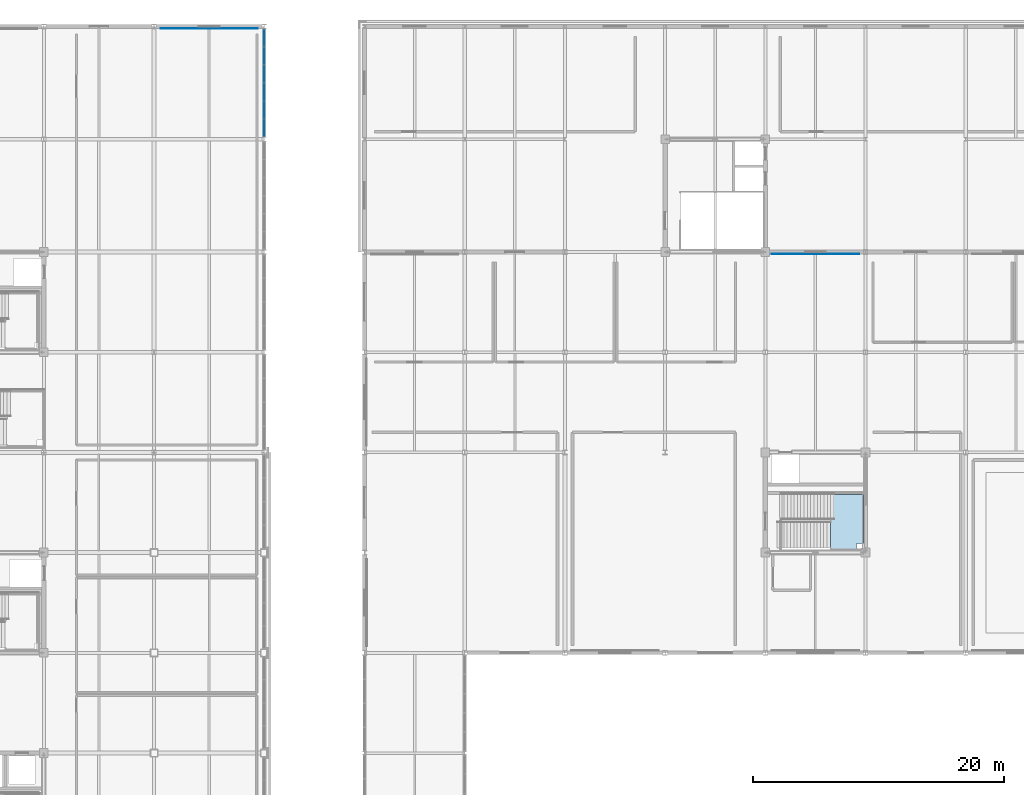
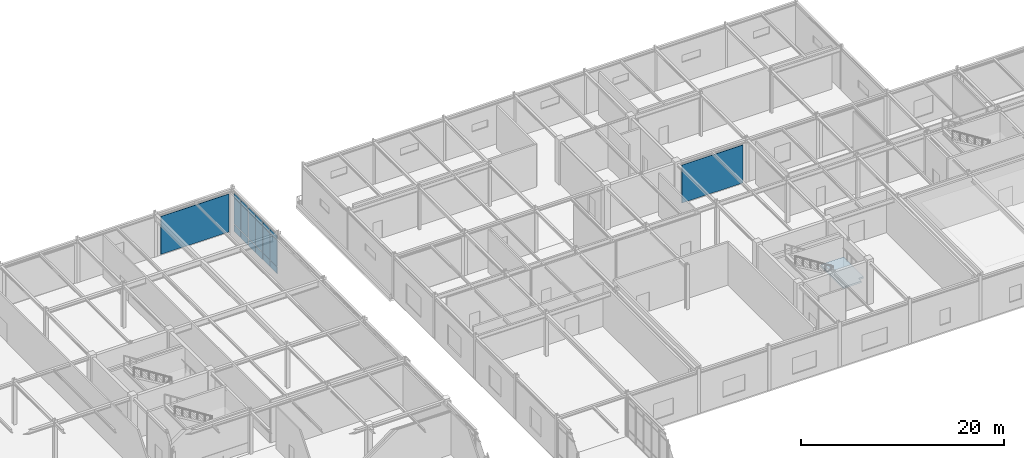
# One storey, part 66 of 108: 20 plates, 1 slab, 2 elements without a shape of their own.
"""IFC4 building model written with IfcOpenShell, lengths in metres."""

from ifc_helpers import new_model, si_unit, direction, frame, origin, origin_2d, place, context, subcontext, project, spatial, polyline, rectangle, outline, extrude, material, layer, layer_set, type_object, element, aggregate, save


model = new_model("IFC4")

# Units and contexts
model_context = context("Model", 3, precision=1e-05, world=origin(), true_north=direction((0.0, 1.0)))
body_context = subcontext(model_context, "Body", "Model", "MODEL_VIEW")
ifc_project = project(units=[si_unit("LENGTHUNIT", "METRE"), si_unit("AREAUNIT", "SQUARE_METRE"), si_unit("VOLUMEUNIT", "CUBIC_METRE"), si_unit("PLANEANGLEUNIT", "RADIAN"), si_unit("MASSUNIT", "GRAM", prefix="KILO")], contexts=[model_context])

# Site, building, storey
site_placement = place(None, origin())
site = spatial("IfcSite", under=ifc_project, at=site_placement, CompositionType="ELEMENT")
building_placement = place(site_placement, origin())
building = spatial("IfcBuilding", under=site, at=building_placement, Name="Zhaolan Boulevard Law Courts", CompositionType="ELEMENT")
storey_placement = place(building_placement, frame((0.0, 0.0, 10.800048828125)))
storey = spatial("IfcBuildingStorey", under=building, at=storey_placement, Name="L02", CompositionType="ELEMENT", Elevation=10.800048828125)

# Curtain wall, plates
ifc_material_1 = material(Name="Thermally broken aluminium and low-E glazing", Category="aluminium")
curtain_wall_type = type_object("IfcCurtainWallType", Name="CURTAIN WALL M2", PredefinedType="USERDEFINED", material=ifc_material_1)
curtain_wall_placement = place(storey_placement, origin())
curtain_wall = element("IfcCurtainWall", 1, at=curtain_wall_placement, inside=storey, type_object=curtain_wall_type, Name="Curtain Wall CW-L02-122", ObjectType="CURTAIN WALL", PredefinedType="USERDEFINED")
ifc_material_2 = material(Name="Triple-silver low-E insulated glazing", Category="glass")
ifc_layer_1 = layer(ifc_material_2, 0.028076171875)
ifc_layer_set_1 = layer_set([ifc_layer_1])
plate_type_1 = type_object("IfcPlateType", Name="CWPANEL LOW E28", PredefinedType="CURTAIN_PANEL", material=ifc_layer_set_1)
plate_1_placement = place(storey_placement, frame((44.0, 103.913818359375, 0.06494140625), z_axis=(0.0, 0.0, 1.0), x_axis=(0.0, 1.0, 0.0)))
plate_1 = element("IfcPlate", 2, at=plate_1_placement, type_object=plate_type_1, Name="CW-L02-122 panel 1.1", PredefinedType="CURTAIN_PANEL", context=body_context, shape_type="SweptSolid", body=[
    extrude(rectangle(XDim=1.343505859375, YDim=0.028076171875, at=origin_2d()), origin(), (0.0, 0.0, 1.0), 0.802490234375),
])
plate_2_placement = place(storey_placement, frame((44.0, 103.913818359375, 0.932373046875), z_axis=(0.0, 0.0, 1.0), x_axis=(0.0, 1.0, 0.0)))
plate_2 = element("IfcPlate", 3, at=plate_2_placement, type_object=plate_type_1, Name="CW-L02-122 panel 1.2", PredefinedType="CURTAIN_PANEL", context=body_context, shape_type="SweptSolid", body=[
    extrude(rectangle(XDim=1.343505859375, YDim=0.028076171875, at=origin_2d()), origin(), (0.0, 0.0, 1.0), 3.14794921875),
])
plate_3_placement = place(storey_placement, frame((44.0, 103.913818359375, 4.1455078125), z_axis=(0.0, 0.0, 1.0), x_axis=(0.0, 1.0, 0.0)))
plate_3 = element("IfcPlate", 4, at=plate_3_placement, type_object=plate_type_1, Name="CW-L02-122 panel 1.3", PredefinedType="CURTAIN_PANEL", context=body_context, shape_type="SweptSolid", body=[
    extrude(rectangle(XDim=1.343505859375, YDim=0.028076171875, at=origin_2d()), origin(), (0.0, 0.0, 1.0), 0.552490234375),
])
plate_4_placement = place(storey_placement, frame((44.0, 105.33837890625, 0.06494140625), z_axis=(0.0, 0.0, 1.0), x_axis=(0.0, 1.0, 0.0)))
plate_4 = element("IfcPlate", 5, at=plate_4_placement, type_object=plate_type_1, Name="CW-L02-122 panel 2.1", PredefinedType="CURTAIN_PANEL", context=body_context, shape_type="SweptSolid", body=[
    extrude(rectangle(XDim=1.3759765625, YDim=0.028076171875, at=origin_2d()), origin(), (0.0, 0.0, 1.0), 0.802490234375),
])
plate_5_placement = place(storey_placement, frame((44.0, 105.33837890625, 0.932373046875), z_axis=(0.0, 0.0, 1.0), x_axis=(0.0, 1.0, 0.0)))
plate_5 = element("IfcPlate", 6, at=plate_5_placement, type_object=plate_type_1, Name="CW-L02-122 panel 2.2", PredefinedType="CURTAIN_PANEL", context=body_context, shape_type="SweptSolid", body=[
    extrude(rectangle(XDim=1.3759765625, YDim=0.028076171875, at=origin_2d()), origin(), (0.0, 0.0, 1.0), 3.14794921875),
])
plate_6_placement = place(storey_placement, frame((44.0, 105.33837890625, 4.1455078125), z_axis=(0.0, 0.0, 1.0), x_axis=(0.0, 1.0, 0.0)))
plate_6 = element("IfcPlate", 7, at=plate_6_placement, type_object=plate_type_1, Name="CW-L02-122 panel 2.3", PredefinedType="CURTAIN_PANEL", context=body_context, shape_type="SweptSolid", body=[
    extrude(rectangle(XDim=1.3759765625, YDim=0.028076171875, at=origin_2d()), origin(), (0.0, 0.0, 1.0), 0.552490234375),
])
plate_7_placement = place(storey_placement, frame((44.0, 106.779541015625, 0.06494140625), z_axis=(0.0, 0.0, 1.0), x_axis=(0.0, 1.0, 0.0)))
plate_7 = element("IfcPlate", 8, at=plate_7_placement, type_object=plate_type_1, Name="CW-L02-122 panel 3.1", PredefinedType="CURTAIN_PANEL", context=body_context, shape_type="SweptSolid", body=[
    extrude(rectangle(XDim=1.3759765625, YDim=0.028076171875, at=origin_2d()), origin(), (0.0, 0.0, 1.0), 0.802490234375),
])
plate_8_placement = place(storey_placement, frame((44.0, 106.779541015625, 0.932373046875), z_axis=(0.0, 0.0, 1.0), x_axis=(0.0, 1.0, 0.0)))
plate_8 = element("IfcPlate", 9, at=plate_8_placement, type_object=plate_type_1, Name="CW-L02-122 panel 3.2", PredefinedType="CURTAIN_PANEL", context=body_context, shape_type="SweptSolid", body=[
    extrude(rectangle(XDim=1.3759765625, YDim=0.028076171875, at=origin_2d()), origin(), (0.0, 0.0, 1.0), 3.14794921875),
])
plate_9_placement = place(storey_placement, frame((44.0, 106.779541015625, 4.1455078125), z_axis=(0.0, 0.0, 1.0), x_axis=(0.0, 1.0, 0.0)))
plate_9 = element("IfcPlate", 10, at=plate_9_placement, type_object=plate_type_1, Name="CW-L02-122 panel 3.3", PredefinedType="CURTAIN_PANEL", context=body_context, shape_type="SweptSolid", body=[
    extrude(rectangle(XDim=1.3759765625, YDim=0.028076171875, at=origin_2d()), origin(), (0.0, 0.0, 1.0), 0.552490234375),
])
plate_10_placement = place(storey_placement, frame((44.0, 108.220458984375, 0.06494140625), z_axis=(0.0, 0.0, 1.0), x_axis=(0.0, 1.0, 0.0)))
plate_10 = element("IfcPlate", 11, at=plate_10_placement, type_object=plate_type_1, Name="CW-L02-122 panel 4.1", PredefinedType="CURTAIN_PANEL", context=body_context, shape_type="SweptSolid", body=[
    extrude(rectangle(XDim=1.3759765625, YDim=0.028076171875, at=origin_2d()), origin(), (0.0, 0.0, 1.0), 0.802490234375),
])
plate_11_placement = place(storey_placement, frame((44.0, 108.220458984375, 0.932373046875), z_axis=(0.0, 0.0, 1.0), x_axis=(0.0, 1.0, 0.0)))
plate_11 = element("IfcPlate", 12, at=plate_11_placement, type_object=plate_type_1, Name="CW-L02-122 panel 4.2", PredefinedType="CURTAIN_PANEL", context=body_context, shape_type="SweptSolid", body=[
    extrude(rectangle(XDim=1.3759765625, YDim=0.028076171875, at=origin_2d()), origin(), (0.0, 0.0, 1.0), 3.14794921875),
])
plate_12_placement = place(storey_placement, frame((44.0, 108.220458984375, 4.1455078125), z_axis=(0.0, 0.0, 1.0), x_axis=(0.0, 1.0, 0.0)))
plate_12 = element("IfcPlate", 13, at=plate_12_placement, type_object=plate_type_1, Name="CW-L02-122 panel 4.3", PredefinedType="CURTAIN_PANEL", context=body_context, shape_type="SweptSolid", body=[
    extrude(rectangle(XDim=1.3759765625, YDim=0.028076171875, at=origin_2d()), origin(), (0.0, 0.0, 1.0), 0.552490234375),
])
plate_13_placement = place(storey_placement, frame((44.0, 109.66162109375, 0.06494140625), z_axis=(0.0, 0.0, 1.0), x_axis=(0.0, 1.0, 0.0)))
plate_13 = element("IfcPlate", 14, at=plate_13_placement, type_object=plate_type_1, Name="CW-L02-122 panel 5.1", PredefinedType="CURTAIN_PANEL", context=body_context, shape_type="SweptSolid", body=[
    extrude(rectangle(XDim=1.3759765625, YDim=0.028076171875, at=origin_2d()), origin(), (0.0, 0.0, 1.0), 0.802490234375),
])
plate_14_placement = place(storey_placement, frame((44.0, 109.66162109375, 0.932373046875), z_axis=(0.0, 0.0, 1.0), x_axis=(0.0, 1.0, 0.0)))
plate_14 = element("IfcPlate", 15, at=plate_14_placement, type_object=plate_type_1, Name="CW-L02-122 panel 5.2", PredefinedType="CURTAIN_PANEL", context=body_context, shape_type="SweptSolid", body=[
    extrude(rectangle(XDim=1.3759765625, YDim=0.028076171875, at=origin_2d()), origin(), (0.0, 0.0, 1.0), 3.14794921875),
])
plate_15_placement = place(storey_placement, frame((44.0, 109.66162109375, 4.1455078125), z_axis=(0.0, 0.0, 1.0), x_axis=(0.0, 1.0, 0.0)))
plate_15 = element("IfcPlate", 16, at=plate_15_placement, type_object=plate_type_1, Name="CW-L02-122 panel 5.3", PredefinedType="CURTAIN_PANEL", context=body_context, shape_type="SweptSolid", body=[
    extrude(rectangle(XDim=1.3759765625, YDim=0.028076171875, at=origin_2d()), origin(), (0.0, 0.0, 1.0), 0.552490234375),
])
plate_16_placement = place(storey_placement, frame((44.0, 111.086181640625, 0.06494140625), z_axis=(0.0, 0.0, 1.0), x_axis=(0.0, 1.0, 0.0)))
plate_16 = element("IfcPlate", 17, at=plate_16_placement, type_object=plate_type_1, Name="CW-L02-122 panel 6.1", PredefinedType="CURTAIN_PANEL", context=body_context, shape_type="SweptSolid", body=[
    extrude(rectangle(XDim=1.343505859375, YDim=0.028076171875, at=origin_2d()), origin(), (0.0, 0.0, 1.0), 0.802490234375),
])
plate_17_placement = place(storey_placement, frame((44.0, 111.086181640625, 0.932373046875), z_axis=(0.0, 0.0, 1.0), x_axis=(0.0, 1.0, 0.0)))
plate_17 = element("IfcPlate", 18, at=plate_17_placement, type_object=plate_type_1, Name="CW-L02-122 panel 6.2", PredefinedType="CURTAIN_PANEL", context=body_context, shape_type="SweptSolid", body=[
    extrude(rectangle(XDim=1.343505859375, YDim=0.028076171875, at=origin_2d()), origin(), (0.0, 0.0, 1.0), 3.14794921875),
])
plate_18_placement = place(storey_placement, frame((44.0, 111.086181640625, 4.1455078125), z_axis=(0.0, 0.0, 1.0), x_axis=(0.0, 1.0, 0.0)))
plate_18 = element("IfcPlate", 19, at=plate_18_placement, type_object=plate_type_1, Name="CW-L02-122 panel 6.3", PredefinedType="CURTAIN_PANEL", context=body_context, shape_type="SweptSolid", body=[
    extrude(rectangle(XDim=1.343505859375, YDim=0.028076171875, at=origin_2d()), origin(), (0.0, 0.0, 1.0), 0.552490234375),
])
aggregate(curtain_wall, [plate_1, plate_2, plate_3, plate_4, plate_5, plate_6, plate_7, plate_8, plate_9, plate_10, plate_11, plate_12, plate_13, plate_14, plate_15, plate_16, plate_17, plate_18])

# Stair, slab
ifc_material_3 = material(Name="Concrete C40", Category="concrete")
stair_type = type_object("IfcStairType", Name="HALF TURN STAIR 54 A", PredefinedType="HALF_TURN_STAIR", material=ifc_material_3)
stair_placement = place(storey_placement, origin())
stair = element("IfcStair", 20, at=stair_placement, inside=storey, type_object=stair_type, Name="Stair ST08-L02", PredefinedType="HALF_TURN_STAIR")
ifc_material_4 = material(Name="Concrete C40", Category="concrete")
ifc_layer_2 = layer(ifc_material_4, 0.199951171875)
ifc_layer_set_2 = layer_set([ifc_layer_2])
slab_type = type_object("IfcSlabType", Name="STAIR LANDING 200", PredefinedType="LANDING", material=ifc_layer_set_2)
slab_placement = place(storey_placement, frame((0.0, 0.0, 2.5)))
slab = element("IfcSlab", 21, at=slab_placement, type_object=slab_type, Name="Stair Landing ST08-L02-L1", PredefinedType="LANDING", context=body_context, shape_type="SweptSolid", body=[
    extrude(outline(polyline([(89.18994140625, 70.169921875), (91.27001953125, 70.169921875), (91.27001953125, 70.72998046875), (91.830078125, 70.72998046875), (91.830078125, 74.639892578125), (89.18994140625, 74.639892578125), (89.18994140625, 70.169921875)])), origin(), (0.0, 0.0, 1.0), 0.199951171875),
])
aggregate(stair, [slab])

# Plates
ifc_material_5 = material(Name="Pale mist-grey standing-seam Al-Mg-Mn zinc-titanium")
ifc_layer_3 = layer(ifc_material_5, 0.0400390625)
ifc_layer_set_3 = layer_set([ifc_layer_3])
plate_type_2 = type_object("IfcPlateType", Name="STANDING SEAM PLATE 40", PredefinedType="SHEET", material=ifc_layer_set_3)
plate_19_placement = place(storey_placement, frame((88.0, 93.830078125, 0.099365234375), z_axis=(0.0, 0.0, 1.0), x_axis=(-1.0, 0.0, 0.0)))
element("IfcPlate", 22, at=plate_19_placement, inside=storey, type_object=plate_type_2, Name="Standing-Seam Metal Wall Cladding SSP-L02-252", PredefinedType="SHEET", context=body_context, shape_type="SweptSolid", body=[
    extrude(rectangle(XDim=6.9599609375, YDim=0.0400390625, at=origin_2d()), origin(), (0.0, 0.0, 1.0), 4.56298828125),
])
plate_20_placement = place(storey_placement, frame((39.60009765625, 111.830078125, 0.099365234375), z_axis=(0.0, 0.0, 1.0), x_axis=(-1.0, 0.0, 0.0)))
element("IfcPlate", 23, at=plate_20_placement, inside=storey, type_object=plate_type_2, Name="Standing-Seam Metal Wall Cladding SSP-L02-354", PredefinedType="SHEET", context=body_context, shape_type="SweptSolid", body=[
    extrude(rectangle(XDim=7.760009765625, YDim=0.0400390625, at=origin_2d()), origin(), (0.0, 0.0, 1.0), 4.56298828125),
])

save(model, "model.ifc")
